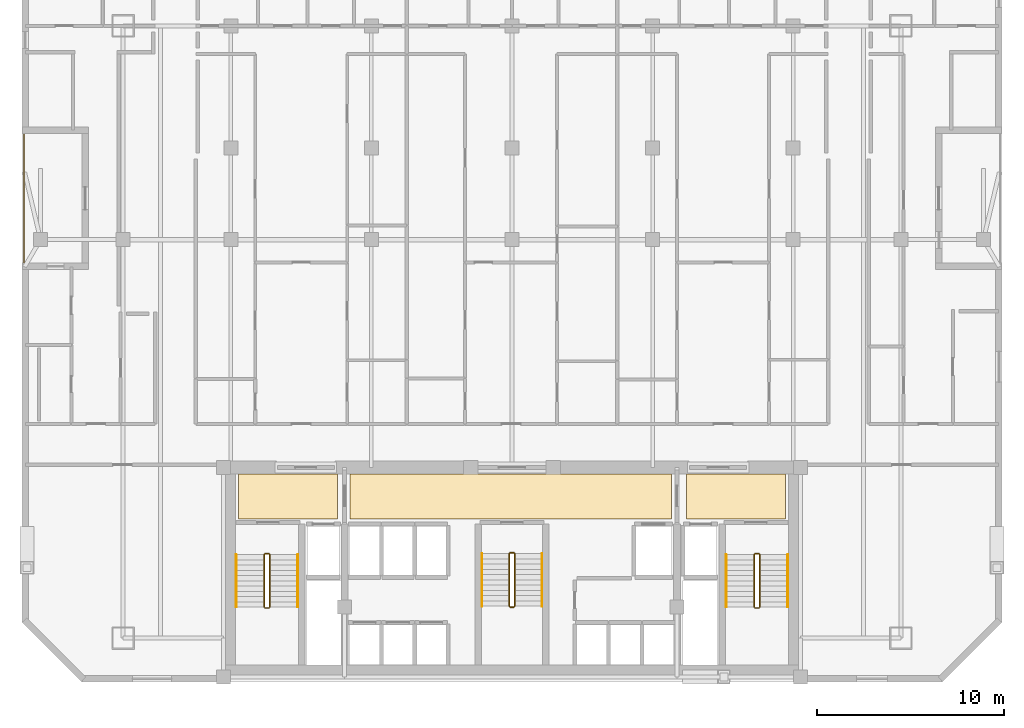
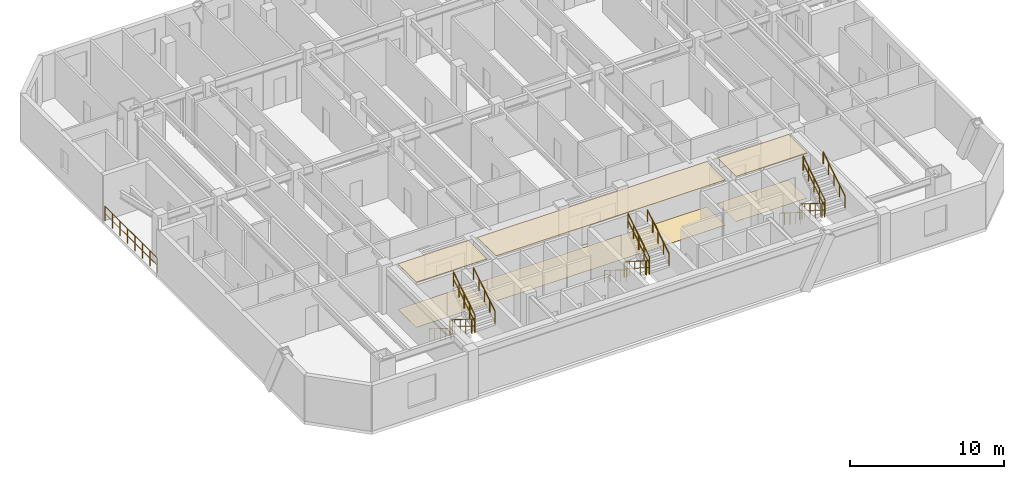
# One storey, part 10 of 11: 19 railings, 6 coverings.
"""IFC4 building model written with IfcOpenShell, lengths in metres."""

from ifc_helpers import new_model, si_unit, direction, frame, origin, origin_2d, place, context, subcontext, project, spatial, polyline, circle, outline, extrude, material, layer, layer_set, type_object, element, save


model = new_model("IFC4")

# Units and contexts
model_context = context("Model", 3, precision=1e-05, world=origin(), true_north=direction((0.0, 1.0)))
body_context = subcontext(model_context, "Body", "Model", "MODEL_VIEW")
ifc_project = project(units=[si_unit("LENGTHUNIT", "METRE"), si_unit("AREAUNIT", "SQUARE_METRE"), si_unit("VOLUMEUNIT", "CUBIC_METRE"), si_unit("PLANEANGLEUNIT", "RADIAN"), si_unit("MASSUNIT", "GRAM", prefix="KILO")], contexts=[model_context])

# Site, building, storey
site_placement = place(None, origin())
site = spatial("IfcSite", under=ifc_project, at=site_placement, CompositionType="ELEMENT")
building_placement = place(site_placement, origin())
building = spatial("IfcBuilding", under=site, at=building_placement, Name="Ventersveld Concourse Tower", CompositionType="ELEMENT")
storey_placement = place(building_placement, frame((0.0, 0.0, 111.85009765625)))
storey = spatial("IfcBuildingStorey", under=building, at=storey_placement, Name="L27", CompositionType="ELEMENT", Elevation=111.85009765625)

# Coverings
ifc_material_1 = material(Name="Mineral-fibre acoustic ceiling tile", Category="gypsum")
ifc_layer_1 = layer(ifc_material_1, 0.0400390625)
ifc_layer_set_1 = layer_set([ifc_layer_1], Name="Mineral-fibre acoustic ceiling tile")
covering_type_1 = type_object("IfcCoveringType", Name="COV-CEIL-ACOUSTIC", PredefinedType="CEILING", material=ifc_layer_set_1)
covering_1_placement = place(storey_placement, frame((0.0, 0.0, 3.559814453125)))
element("IfcCovering", 1, at=covering_1_placement, inside=storey, type_object=covering_type_1, Name="L27 North Lift Lobby Acoustic Ceiling", PredefinedType="CEILING", context=body_context, shape_type="SweptSolid", body=[
    extrude(outline(polyline([(20.10009765625, 8.699951171875), (37.25, 8.699951171875), (37.25, 11.10009765625), (20.10009765625, 11.10009765625), (20.10009765625, 8.699951171875)])), origin(), (0.0, 0.0, 1.0), 0.0400390625),
])
covering_2_placement = place(storey_placement, frame((0.0, 0.0, 3.559814453125)))
element("IfcCovering", 2, at=covering_2_placement, inside=storey, type_object=covering_type_1, Name="L27 West Firefighting Lobby Acoustic Ceiling", PredefinedType="CEILING", context=body_context, shape_type="SweptSolid", body=[
    extrude(outline(polyline([(14.14990234375, 8.699951171875), (19.449951171875, 8.699951171875), (19.449951171875, 11.10009765625), (14.14990234375, 11.10009765625), (14.14990234375, 8.699951171875)])), origin(), (0.0, 0.0, 1.0), 0.0400390625),
])
covering_3_placement = place(storey_placement, frame((0.0, 0.0, 3.559814453125)))
element("IfcCovering", 3, at=covering_3_placement, inside=storey, type_object=covering_type_1, Name="L27 East Firefighting Lobby Acoustic Ceiling", PredefinedType="CEILING", context=body_context, shape_type="SweptSolid", body=[
    extrude(outline(polyline([(38.050048828125, 8.699951171875), (43.35009765625, 8.699951171875), (43.35009765625, 11.10009765625), (38.050048828125, 11.10009765625), (38.050048828125, 8.699951171875)])), origin(), (0.0, 0.0, 1.0), 0.0400390625),
])
ifc_material_2 = material(Name="Polished Highveld granite terrazzo", Category="masonry")
ifc_layer_2 = layer(ifc_material_2, 0.02001953125)
ifc_layer_set_2 = layer_set([ifc_layer_2], Name="Polished Highveld granite terrazzo")
covering_type_2 = type_object("IfcCoveringType", Name="COV-FLOOR-TERRAZZO", PredefinedType="FLOORING", material=ifc_layer_set_2)
covering_4_placement = place(storey_placement, origin())
element("IfcCovering", 4, at=covering_4_placement, inside=storey, type_object=covering_type_2, Name="L27 North Lift Lobby Terrazzo Flooring", PredefinedType="FLOORING", context=body_context, shape_type="SweptSolid", body=[
    extrude(outline(polyline([(20.10009765625, 8.699951171875), (37.25, 8.699951171875), (37.25, 11.10009765625), (20.10009765625, 11.10009765625), (20.10009765625, 8.699951171875)])), origin(), (0.0, 0.0, 1.0), 0.02001953125),
])
covering_5_placement = place(storey_placement, origin())
element("IfcCovering", 5, at=covering_5_placement, inside=storey, type_object=covering_type_2, Name="L27 West Firefighting Lobby Terrazzo Flooring", PredefinedType="FLOORING", context=body_context, shape_type="SweptSolid", body=[
    extrude(outline(polyline([(14.14990234375, 8.699951171875), (19.449951171875, 8.699951171875), (19.449951171875, 11.10009765625), (14.14990234375, 11.10009765625), (14.14990234375, 8.699951171875)])), origin(), (0.0, 0.0, 1.0), 0.02001953125),
])
covering_6_placement = place(storey_placement, origin())
element("IfcCovering", 6, at=covering_6_placement, inside=storey, type_object=covering_type_2, Name="L27 East Firefighting Lobby Terrazzo Flooring", PredefinedType="FLOORING", context=body_context, shape_type="SweptSolid", body=[
    extrude(outline(polyline([(38.050048828125, 8.699951171875), (43.35009765625, 8.699951171875), (43.35009765625, 11.10009765625), (38.050048828125, 11.10009765625), (38.050048828125, 8.699951171875)])), origin(), (0.0, 0.0, 1.0), 0.02001953125),
])

# Railings
ifc_material_3 = material(Name="Brushed stainless steel 316", Category="steel")
railing_type_1 = type_object("IfcRailingType", Name="GD-BAL-115", PredefinedType="GUARDRAIL", material=ifc_material_3)
railing_1_placement = place(storey_placement, frame((15.530029296875, 6.800048828125, 0.1748046875)))
element("IfcRailing", 7, at=railing_1_placement, inside=storey, type_object=railing_type_1, Name="L27 ST-01 stair guard 1", PredefinedType="GUARDRAIL", context=body_context, shape_type="SweptSolid", body=[
    extrude(circle(Radius=0.02392578125, at=origin_2d()), frame((0.0, 0.0, 1.1259765625), z_axis=(0.0, -0.848002457836, 0.529992293815), x_axis=(1.0, 0.0, 0.0)), (0.0, 0.0, 1.0), 3.302001953125),
    extrude(circle(Radius=0.01611328125, at=origin_2d()), frame((0.0, 0.0, 0.574951171875), z_axis=(0.0, -0.848002457836, 0.529992293815), x_axis=(1.0, 0.0, 0.0)), (0.0, 0.0, 1.0), 3.302001953125),
    extrude(circle(Radius=0.02099609375, at=origin_2d()), origin(), (0.0, 0.0, 1.0), 1.101806640625),
    extrude(circle(Radius=0.02099609375, at=origin_2d()), frame((0.0, -0.699951171875, 0.4375)), (0.0, 0.0, 1.0), 1.101806640625),
    extrude(circle(Radius=0.02099609375, at=origin_2d()), frame((0.0, -1.39990234375, 0.875)), (0.0, 0.0, 1.0), 1.101806640625),
    extrude(circle(Radius=0.02099609375, at=origin_2d()), frame((0.0, -2.10009765625, 1.3125)), (0.0, 0.0, 1.0), 1.101806640625),
    extrude(circle(Radius=0.02099609375, at=origin_2d()), frame((0.0, -2.800048828125, 1.75)), (0.0, 0.0, 1.0), 1.101806640625),
])
railing_2_placement = place(storey_placement, frame((15.580078125, 3.949951171875, 1.9248046875)))
element("IfcRailing", 8, at=railing_2_placement, inside=storey, type_object=railing_type_1, Name="L27 ST-01 stair guard 2", PredefinedType="GUARDRAIL", context=body_context, shape_type="SweptSolid", body=[
    extrude(circle(Radius=0.02392578125, at=origin_2d()), frame((0.0, 0.0, 1.1259765625), z_axis=(1.0, 0.0, 0.0), x_axis=(0.0, 1.0, 0.0)), (0.0, 0.0, 1.0), 0.199951171875),
    extrude(circle(Radius=0.01611328125, at=origin_2d()), frame((0.0, 0.0, 0.574951171875), z_axis=(1.0, 0.0, 0.0), x_axis=(0.0, 1.0, 0.0)), (0.0, 0.0, 1.0), 0.199951171875),
    extrude(circle(Radius=0.02099609375, at=origin_2d()), origin(), (0.0, 0.0, 1.0), 1.101806640625),
    extrude(circle(Radius=0.02099609375, at=origin_2d()), frame((0.199951171875, 0.0, 0.0)), (0.0, 0.0, 1.0), 1.101806640625),
])
railing_3_placement = place(storey_placement, frame((15.830078125, 4.0, 2.099853515625)))
element("IfcRailing", 9, at=railing_3_placement, inside=storey, type_object=railing_type_1, Name="L27 ST-01 stair guard 3", PredefinedType="GUARDRAIL", context=body_context, shape_type="SweptSolid", body=[
    extrude(circle(Radius=0.02392578125, at=origin_2d()), frame((0.0, 0.0, 1.1259765625), z_axis=(0.0, 0.848002457836, 0.529992293815), x_axis=(-1.0, 0.0, 0.0)), (0.0, 0.0, 1.0), 3.302001953125),
    extrude(circle(Radius=0.01611328125, at=origin_2d()), frame((0.0, 0.0, 0.574951171875), z_axis=(0.0, 0.848002457836, 0.529992293815), x_axis=(-1.0, 0.0, 0.0)), (0.0, 0.0, 1.0), 3.302001953125),
    extrude(circle(Radius=0.02099609375, at=origin_2d()), origin(), (0.0, 0.0, 1.0), 1.101806640625),
    extrude(circle(Radius=0.02099609375, at=origin_2d()), frame((0.0, 0.699951171875, 0.4375)), (0.0, 0.0, 1.0), 1.101806640625),
    extrude(circle(Radius=0.02099609375, at=origin_2d()), frame((0.0, 1.39990234375, 0.875)), (0.0, 0.0, 1.0), 1.101806640625),
    extrude(circle(Radius=0.02099609375, at=origin_2d()), frame((0.0, 2.10009765625, 1.3125)), (0.0, 0.0, 1.0), 1.101806640625),
    extrude(circle(Radius=0.02099609375, at=origin_2d()), frame((0.0, 2.800048828125, 1.75)), (0.0, 0.0, 1.0), 1.101806640625),
])
railing_4_placement = place(storey_placement, frame((15.580078125, 6.85009765625, 0.0)))
element("IfcRailing", 10, at=railing_4_placement, inside=storey, type_object=railing_type_1, Name="L27 ST-01 stair guard 4", PredefinedType="GUARDRAIL", context=body_context, shape_type="SweptSolid", body=[
    extrude(circle(Radius=0.02392578125, at=origin_2d()), frame((0.0, 0.0, 1.1259765625), z_axis=(1.0, 0.0, 0.0), x_axis=(0.0, 1.0, 0.0)), (0.0, 0.0, 1.0), 0.199951171875),
    extrude(circle(Radius=0.01611328125, at=origin_2d()), frame((0.0, 0.0, 0.574951171875), z_axis=(1.0, 0.0, 0.0), x_axis=(0.0, 1.0, 0.0)), (0.0, 0.0, 1.0), 0.199951171875),
    extrude(circle(Radius=0.02099609375, at=origin_2d()), origin(), (0.0, 0.0, 1.0), 1.101806640625),
    extrude(circle(Radius=0.02099609375, at=origin_2d()), frame((0.199951171875, 0.0, 0.0)), (0.0, 0.0, 1.0), 1.101806640625),
])
railing_5_placement = place(storey_placement, frame((41.669921875, 6.800048828125, 0.1748046875)))
element("IfcRailing", 11, at=railing_5_placement, inside=storey, type_object=railing_type_1, Name="L27 ST-02 stair guard 1", PredefinedType="GUARDRAIL", context=body_context, shape_type="SweptSolid", body=[
    extrude(circle(Radius=0.02392578125, at=origin_2d()), frame((0.0, 0.0, 1.1259765625), z_axis=(0.0, -0.848002457836, 0.529992293815), x_axis=(1.0, 0.0, 0.0)), (0.0, 0.0, 1.0), 3.302001953125),
    extrude(circle(Radius=0.01611328125, at=origin_2d()), frame((0.0, 0.0, 0.574951171875), z_axis=(0.0, -0.848002457836, 0.529992293815), x_axis=(1.0, 0.0, 0.0)), (0.0, 0.0, 1.0), 3.302001953125),
    extrude(circle(Radius=0.02099609375, at=origin_2d()), origin(), (0.0, 0.0, 1.0), 1.101806640625),
    extrude(circle(Radius=0.02099609375, at=origin_2d()), frame((0.0, -0.699951171875, 0.4375)), (0.0, 0.0, 1.0), 1.101806640625),
    extrude(circle(Radius=0.02099609375, at=origin_2d()), frame((0.0, -1.39990234375, 0.875)), (0.0, 0.0, 1.0), 1.101806640625),
    extrude(circle(Radius=0.02099609375, at=origin_2d()), frame((0.0, -2.10009765625, 1.3125)), (0.0, 0.0, 1.0), 1.101806640625),
    extrude(circle(Radius=0.02099609375, at=origin_2d()), frame((0.0, -2.800048828125, 1.75)), (0.0, 0.0, 1.0), 1.101806640625),
])
railing_6_placement = place(storey_placement, frame((41.719970703125, 3.949951171875, 1.9248046875)))
element("IfcRailing", 12, at=railing_6_placement, inside=storey, type_object=railing_type_1, Name="L27 ST-02 stair guard 2", PredefinedType="GUARDRAIL", context=body_context, shape_type="SweptSolid", body=[
    extrude(circle(Radius=0.02392578125, at=origin_2d()), frame((0.0, 0.0, 1.1259765625), z_axis=(1.0, 0.0, 0.0), x_axis=(0.0, 1.0, 0.0)), (0.0, 0.0, 1.0), 0.199951171875),
    extrude(circle(Radius=0.01611328125, at=origin_2d()), frame((0.0, 0.0, 0.574951171875), z_axis=(1.0, 0.0, 0.0), x_axis=(0.0, 1.0, 0.0)), (0.0, 0.0, 1.0), 0.199951171875),
    extrude(circle(Radius=0.02099609375, at=origin_2d()), origin(), (0.0, 0.0, 1.0), 1.101806640625),
    extrude(circle(Radius=0.02099609375, at=origin_2d()), frame((0.199951171875, 0.0, 0.0)), (0.0, 0.0, 1.0), 1.101806640625),
])
railing_7_placement = place(storey_placement, frame((41.969970703125, 4.0, 2.099853515625)))
element("IfcRailing", 13, at=railing_7_placement, inside=storey, type_object=railing_type_1, Name="L27 ST-02 stair guard 3", PredefinedType="GUARDRAIL", context=body_context, shape_type="SweptSolid", body=[
    extrude(circle(Radius=0.02392578125, at=origin_2d()), frame((0.0, 0.0, 1.1259765625), z_axis=(0.0, 0.848002457836, 0.529992293815), x_axis=(-1.0, 0.0, 0.0)), (0.0, 0.0, 1.0), 3.302001953125),
    extrude(circle(Radius=0.01611328125, at=origin_2d()), frame((0.0, 0.0, 0.574951171875), z_axis=(0.0, 0.848002457836, 0.529992293815), x_axis=(-1.0, 0.0, 0.0)), (0.0, 0.0, 1.0), 3.302001953125),
    extrude(circle(Radius=0.02099609375, at=origin_2d()), origin(), (0.0, 0.0, 1.0), 1.101806640625),
    extrude(circle(Radius=0.02099609375, at=origin_2d()), frame((0.0, 0.699951171875, 0.4375)), (0.0, 0.0, 1.0), 1.101806640625),
    extrude(circle(Radius=0.02099609375, at=origin_2d()), frame((0.0, 1.39990234375, 0.875)), (0.0, 0.0, 1.0), 1.101806640625),
    extrude(circle(Radius=0.02099609375, at=origin_2d()), frame((0.0, 2.10009765625, 1.3125)), (0.0, 0.0, 1.0), 1.101806640625),
    extrude(circle(Radius=0.02099609375, at=origin_2d()), frame((0.0, 2.800048828125, 1.75)), (0.0, 0.0, 1.0), 1.101806640625),
])
railing_8_placement = place(storey_placement, frame((41.719970703125, 6.85009765625, 0.0)))
element("IfcRailing", 14, at=railing_8_placement, inside=storey, type_object=railing_type_1, Name="L27 ST-02 stair guard 4", PredefinedType="GUARDRAIL", context=body_context, shape_type="SweptSolid", body=[
    extrude(circle(Radius=0.02392578125, at=origin_2d()), frame((0.0, 0.0, 1.1259765625), z_axis=(1.0, 0.0, 0.0), x_axis=(0.0, 1.0, 0.0)), (0.0, 0.0, 1.0), 0.199951171875),
    extrude(circle(Radius=0.01611328125, at=origin_2d()), frame((0.0, 0.0, 0.574951171875), z_axis=(1.0, 0.0, 0.0), x_axis=(0.0, 1.0, 0.0)), (0.0, 0.0, 1.0), 0.199951171875),
    extrude(circle(Radius=0.02099609375, at=origin_2d()), origin(), (0.0, 0.0, 1.0), 1.101806640625),
    extrude(circle(Radius=0.02099609375, at=origin_2d()), frame((0.199951171875, 0.0, 0.0)), (0.0, 0.0, 1.0), 1.101806640625),
])
railing_9_placement = place(storey_placement, frame((28.60009765625, 6.85009765625, 0.1748046875)))
element("IfcRailing", 15, at=railing_9_placement, inside=storey, type_object=railing_type_1, Name="L27 ST-03 stair guard 1", PredefinedType="GUARDRAIL", context=body_context, shape_type="SweptSolid", body=[
    extrude(circle(Radius=0.02392578125, at=origin_2d()), frame((0.0, 0.0, 1.1259765625), z_axis=(0.0, -0.848002457836, 0.529992293815), x_axis=(1.0, 0.0, 0.0)), (0.0, 0.0, 1.0), 3.302001953125),
    extrude(circle(Radius=0.01611328125, at=origin_2d()), frame((0.0, 0.0, 0.574951171875), z_axis=(0.0, -0.848002457836, 0.529992293815), x_axis=(1.0, 0.0, 0.0)), (0.0, 0.0, 1.0), 3.302001953125),
    extrude(circle(Radius=0.02099609375, at=origin_2d()), origin(), (0.0, 0.0, 1.0), 1.101806640625),
    extrude(circle(Radius=0.02099609375, at=origin_2d()), frame((0.0, -0.699951171875, 0.4375)), (0.0, 0.0, 1.0), 1.101806640625),
    extrude(circle(Radius=0.02099609375, at=origin_2d()), frame((0.0, -1.39990234375, 0.875)), (0.0, 0.0, 1.0), 1.101806640625),
    extrude(circle(Radius=0.02099609375, at=origin_2d()), frame((0.0, -2.10009765625, 1.3125)), (0.0, 0.0, 1.0), 1.101806640625),
    extrude(circle(Radius=0.02099609375, at=origin_2d()), frame((0.0, -2.800048828125, 1.75)), (0.0, 0.0, 1.0), 1.101806640625),
])
railing_10_placement = place(storey_placement, frame((28.64990234375, 4.0, 1.9248046875)))
element("IfcRailing", 16, at=railing_10_placement, inside=storey, type_object=railing_type_1, Name="L27 ST-03 stair guard 2", PredefinedType="GUARDRAIL", context=body_context, shape_type="SweptSolid", body=[
    extrude(circle(Radius=0.02392578125, at=origin_2d()), frame((0.0, 0.0, 1.1259765625), z_axis=(1.0, 0.0, 0.0), x_axis=(0.0, 1.0, 0.0)), (0.0, 0.0, 1.0), 0.2001953125),
    extrude(circle(Radius=0.01611328125, at=origin_2d()), frame((0.0, 0.0, 0.574951171875), z_axis=(1.0, 0.0, 0.0), x_axis=(0.0, 1.0, 0.0)), (0.0, 0.0, 1.0), 0.2001953125),
    extrude(circle(Radius=0.02099609375, at=origin_2d()), origin(), (0.0, 0.0, 1.0), 1.101806640625),
    extrude(circle(Radius=0.02099609375, at=origin_2d()), frame((0.2001953125, 0.0, 0.0)), (0.0, 0.0, 1.0), 1.101806640625),
])
railing_11_placement = place(storey_placement, frame((28.89990234375, 4.050048828125, 2.099853515625)))
element("IfcRailing", 17, at=railing_11_placement, inside=storey, type_object=railing_type_1, Name="L27 ST-03 stair guard 3", PredefinedType="GUARDRAIL", context=body_context, shape_type="SweptSolid", body=[
    extrude(circle(Radius=0.02392578125, at=origin_2d()), frame((0.0, 0.0, 1.1259765625), z_axis=(0.0, 0.848002457836, 0.529992293815), x_axis=(-1.0, 0.0, 0.0)), (0.0, 0.0, 1.0), 3.302001953125),
    extrude(circle(Radius=0.01611328125, at=origin_2d()), frame((0.0, 0.0, 0.574951171875), z_axis=(0.0, 0.848002457836, 0.529992293815), x_axis=(-1.0, 0.0, 0.0)), (0.0, 0.0, 1.0), 3.302001953125),
    extrude(circle(Radius=0.02099609375, at=origin_2d()), origin(), (0.0, 0.0, 1.0), 1.101806640625),
    extrude(circle(Radius=0.02099609375, at=origin_2d()), frame((0.0, 0.699951171875, 0.4375)), (0.0, 0.0, 1.0), 1.101806640625),
    extrude(circle(Radius=0.02099609375, at=origin_2d()), frame((0.0, 1.39990234375, 0.875)), (0.0, 0.0, 1.0), 1.101806640625),
    extrude(circle(Radius=0.02099609375, at=origin_2d()), frame((0.0, 2.10009765625, 1.3125)), (0.0, 0.0, 1.0), 1.101806640625),
    extrude(circle(Radius=0.02099609375, at=origin_2d()), frame((0.0, 2.800048828125, 1.75)), (0.0, 0.0, 1.0), 1.101806640625),
])
railing_12_placement = place(storey_placement, frame((28.64990234375, 6.89990234375, 0.0)))
element("IfcRailing", 18, at=railing_12_placement, inside=storey, type_object=railing_type_1, Name="L27 ST-03 stair guard 4", PredefinedType="GUARDRAIL", context=body_context, shape_type="SweptSolid", body=[
    extrude(circle(Radius=0.02392578125, at=origin_2d()), frame((0.0, 0.0, 1.1259765625), z_axis=(1.0, 0.0, 0.0), x_axis=(0.0, 1.0, 0.0)), (0.0, 0.0, 1.0), 0.2001953125),
    extrude(circle(Radius=0.01611328125, at=origin_2d()), frame((0.0, 0.0, 0.574951171875), z_axis=(1.0, 0.0, 0.0), x_axis=(0.0, 1.0, 0.0)), (0.0, 0.0, 1.0), 0.2001953125),
    extrude(circle(Radius=0.02099609375, at=origin_2d()), origin(), (0.0, 0.0, 1.0), 1.101806640625),
    extrude(circle(Radius=0.02099609375, at=origin_2d()), frame((0.2001953125, 0.0, 0.0)), (0.0, 0.0, 1.0), 1.101806640625),
])
railing_type_2 = type_object("IfcRailingType", Name="GD-TER-120", PredefinedType="GUARDRAIL", material=ifc_material_3)
railing_13_placement = place(storey_placement, frame((2.719970703125, 22.39990234375, 0.0)))
element("IfcRailing", 19, at=railing_13_placement, inside=storey, type_object=railing_type_2, Name="L27 Outdoor Terrace Guardrail NOTCH-W", PredefinedType="GUARDRAIL", context=body_context, shape_type="SweptSolid", body=[
    extrude(circle(Radius=0.02392578125, at=origin_2d()), frame((0.0, 0.0, 1.17578125), z_axis=(0.0, 1.0, 0.0), x_axis=(-1.0, 0.0, 0.0)), (0.0, 0.0, 1.0), 6.800048828125),
    extrude(circle(Radius=0.01611328125, at=origin_2d()), frame((0.0, 0.0, 0.60009765625), z_axis=(0.0, 1.0, 0.0), x_axis=(-1.0, 0.0, 0.0)), (0.0, 0.0, 1.0), 6.800048828125),
    extrude(circle(Radius=0.02099609375, at=origin_2d()), origin(), (0.0, 0.0, 1.0), 1.15185546875),
    extrude(circle(Radius=0.02099609375, at=origin_2d()), frame((0.0, 0.971435546875, 0.0)), (0.0, 0.0, 1.0), 1.15185546875),
    extrude(circle(Radius=0.02099609375, at=origin_2d()), frame((0.0, 1.94287109375, 0.0)), (0.0, 0.0, 1.0), 1.15185546875),
    extrude(circle(Radius=0.02099609375, at=origin_2d()), frame((0.0, 2.914306640625, 0.0)), (0.0, 0.0, 1.0), 1.15185546875),
    extrude(circle(Radius=0.02099609375, at=origin_2d()), frame((0.0, 3.8857421875, 0.0)), (0.0, 0.0, 1.0), 1.15185546875),
    extrude(circle(Radius=0.02099609375, at=origin_2d()), frame((0.0, 4.857177734375, 0.0)), (0.0, 0.0, 1.0), 1.15185546875),
    extrude(circle(Radius=0.02099609375, at=origin_2d()), frame((0.0, 5.82861328125, 0.0)), (0.0, 0.0, 1.0), 1.15185546875),
    extrude(circle(Radius=0.02099609375, at=origin_2d()), frame((0.0, 6.800048828125, 0.0)), (0.0, 0.0, 1.0), 1.15185546875),
])
railing_type_3 = type_object("IfcRailingType", Name="HR-RMP-095", PredefinedType="HANDRAIL", material=ifc_material_3)
railing_14_placement = place(storey_placement, frame((14.030029296875, 6.800048828125, 0.1748046875)))
element("IfcRailing", 20, at=railing_14_placement, inside=storey, type_object=railing_type_3, Name="L27 ST-01 stair handrail 1", PredefinedType="HANDRAIL", context=body_context, shape_type="SweptSolid", body=[
    extrude(circle(Radius=0.02392578125, at=origin_2d()), frame((0.0, 0.0, 0.92578125), z_axis=(0.0, -0.848002457836, 0.529992293815), x_axis=(1.0, 0.0, 0.0)), (0.0, 0.0, 1.0), 3.302001953125),
    extrude(circle(Radius=0.02099609375, at=origin_2d()), origin(), (0.0, 0.0, 1.0), 0.90185546875),
    extrude(circle(Radius=0.02099609375, at=origin_2d()), frame((0.0, -0.699951171875, 0.4375)), (0.0, 0.0, 1.0), 0.90185546875),
    extrude(circle(Radius=0.02099609375, at=origin_2d()), frame((0.0, -1.39990234375, 0.875)), (0.0, 0.0, 1.0), 0.90185546875),
    extrude(circle(Radius=0.02099609375, at=origin_2d()), frame((0.0, -2.10009765625, 1.3125)), (0.0, 0.0, 1.0), 0.90185546875),
    extrude(circle(Radius=0.02099609375, at=origin_2d()), frame((0.0, -2.800048828125, 1.75)), (0.0, 0.0, 1.0), 0.90185546875),
])
railing_15_placement = place(storey_placement, frame((17.330078125, 4.0, 2.099853515625)))
element("IfcRailing", 21, at=railing_15_placement, inside=storey, type_object=railing_type_3, Name="L27 ST-01 stair handrail 2", PredefinedType="HANDRAIL", context=body_context, shape_type="SweptSolid", body=[
    extrude(circle(Radius=0.02392578125, at=origin_2d()), frame((0.0, 0.0, 0.92578125), z_axis=(0.0, 0.848002457836, 0.529992293815), x_axis=(-1.0, 0.0, 0.0)), (0.0, 0.0, 1.0), 3.302001953125),
    extrude(circle(Radius=0.02099609375, at=origin_2d()), origin(), (0.0, 0.0, 1.0), 0.90185546875),
    extrude(circle(Radius=0.02099609375, at=origin_2d()), frame((0.0, 0.699951171875, 0.4375)), (0.0, 0.0, 1.0), 0.90185546875),
    extrude(circle(Radius=0.02099609375, at=origin_2d()), frame((0.0, 1.39990234375, 0.875)), (0.0, 0.0, 1.0), 0.90185546875),
    extrude(circle(Radius=0.02099609375, at=origin_2d()), frame((0.0, 2.10009765625, 1.3125)), (0.0, 0.0, 1.0), 0.90185546875),
    extrude(circle(Radius=0.02099609375, at=origin_2d()), frame((0.0, 2.800048828125, 1.75)), (0.0, 0.0, 1.0), 0.90185546875),
])
railing_16_placement = place(storey_placement, frame((40.169921875, 6.800048828125, 0.1748046875)))
element("IfcRailing", 22, at=railing_16_placement, inside=storey, type_object=railing_type_3, Name="L27 ST-02 stair handrail 1", PredefinedType="HANDRAIL", context=body_context, shape_type="SweptSolid", body=[
    extrude(circle(Radius=0.02392578125, at=origin_2d()), frame((0.0, 0.0, 0.92578125), z_axis=(0.0, -0.848002457836, 0.529992293815), x_axis=(1.0, 0.0, 0.0)), (0.0, 0.0, 1.0), 3.302001953125),
    extrude(circle(Radius=0.02099609375, at=origin_2d()), origin(), (0.0, 0.0, 1.0), 0.90185546875),
    extrude(circle(Radius=0.02099609375, at=origin_2d()), frame((0.0, -0.699951171875, 0.4375)), (0.0, 0.0, 1.0), 0.90185546875),
    extrude(circle(Radius=0.02099609375, at=origin_2d()), frame((0.0, -1.39990234375, 0.875)), (0.0, 0.0, 1.0), 0.90185546875),
    extrude(circle(Radius=0.02099609375, at=origin_2d()), frame((0.0, -2.10009765625, 1.3125)), (0.0, 0.0, 1.0), 0.90185546875),
    extrude(circle(Radius=0.02099609375, at=origin_2d()), frame((0.0, -2.800048828125, 1.75)), (0.0, 0.0, 1.0), 0.90185546875),
])
railing_17_placement = place(storey_placement, frame((43.469970703125, 4.0, 2.099853515625)))
element("IfcRailing", 23, at=railing_17_placement, inside=storey, type_object=railing_type_3, Name="L27 ST-02 stair handrail 2", PredefinedType="HANDRAIL", context=body_context, shape_type="SweptSolid", body=[
    extrude(circle(Radius=0.02392578125, at=origin_2d()), frame((0.0, 0.0, 0.92578125), z_axis=(0.0, 0.848002457836, 0.529992293815), x_axis=(-1.0, 0.0, 0.0)), (0.0, 0.0, 1.0), 3.302001953125),
    extrude(circle(Radius=0.02099609375, at=origin_2d()), origin(), (0.0, 0.0, 1.0), 0.90185546875),
    extrude(circle(Radius=0.02099609375, at=origin_2d()), frame((0.0, 0.699951171875, 0.4375)), (0.0, 0.0, 1.0), 0.90185546875),
    extrude(circle(Radius=0.02099609375, at=origin_2d()), frame((0.0, 1.39990234375, 0.875)), (0.0, 0.0, 1.0), 0.90185546875),
    extrude(circle(Radius=0.02099609375, at=origin_2d()), frame((0.0, 2.10009765625, 1.3125)), (0.0, 0.0, 1.0), 0.90185546875),
    extrude(circle(Radius=0.02099609375, at=origin_2d()), frame((0.0, 2.800048828125, 1.75)), (0.0, 0.0, 1.0), 0.90185546875),
])
railing_18_placement = place(storey_placement, frame((27.14990234375, 6.85009765625, 0.1748046875)))
element("IfcRailing", 24, at=railing_18_placement, inside=storey, type_object=railing_type_3, Name="L27 ST-03 stair handrail 1", PredefinedType="HANDRAIL", context=body_context, shape_type="SweptSolid", body=[
    extrude(circle(Radius=0.02392578125, at=origin_2d()), frame((0.0, 0.0, 0.92578125), z_axis=(0.0, -0.848002457836, 0.529992293815), x_axis=(1.0, 0.0, 0.0)), (0.0, 0.0, 1.0), 3.302001953125),
    extrude(circle(Radius=0.02099609375, at=origin_2d()), origin(), (0.0, 0.0, 1.0), 0.90185546875),
    extrude(circle(Radius=0.02099609375, at=origin_2d()), frame((0.0, -0.699951171875, 0.4375)), (0.0, 0.0, 1.0), 0.90185546875),
    extrude(circle(Radius=0.02099609375, at=origin_2d()), frame((0.0, -1.39990234375, 0.875)), (0.0, 0.0, 1.0), 0.90185546875),
    extrude(circle(Radius=0.02099609375, at=origin_2d()), frame((0.0, -2.10009765625, 1.3125)), (0.0, 0.0, 1.0), 0.90185546875),
    extrude(circle(Radius=0.02099609375, at=origin_2d()), frame((0.0, -2.800048828125, 1.75)), (0.0, 0.0, 1.0), 0.90185546875),
])
railing_19_placement = place(storey_placement, frame((30.35009765625, 4.050048828125, 2.099853515625)))
element("IfcRailing", 25, at=railing_19_placement, inside=storey, type_object=railing_type_3, Name="L27 ST-03 stair handrail 2", PredefinedType="HANDRAIL", context=body_context, shape_type="SweptSolid", body=[
    extrude(circle(Radius=0.02392578125, at=origin_2d()), frame((0.0, 0.0, 0.92578125), z_axis=(0.0, 0.848002457836, 0.529992293815), x_axis=(-1.0, 0.0, 0.0)), (0.0, 0.0, 1.0), 3.302001953125),
    extrude(circle(Radius=0.02099609375, at=origin_2d()), origin(), (0.0, 0.0, 1.0), 0.90185546875),
    extrude(circle(Radius=0.02099609375, at=origin_2d()), frame((0.0, 0.699951171875, 0.4375)), (0.0, 0.0, 1.0), 0.90185546875),
    extrude(circle(Radius=0.02099609375, at=origin_2d()), frame((0.0, 1.39990234375, 0.875)), (0.0, 0.0, 1.0), 0.90185546875),
    extrude(circle(Radius=0.02099609375, at=origin_2d()), frame((0.0, 2.10009765625, 1.3125)), (0.0, 0.0, 1.0), 0.90185546875),
    extrude(circle(Radius=0.02099609375, at=origin_2d()), frame((0.0, 2.800048828125, 1.75)), (0.0, 0.0, 1.0), 0.90185546875),
])

save(model, "model.ifc")
